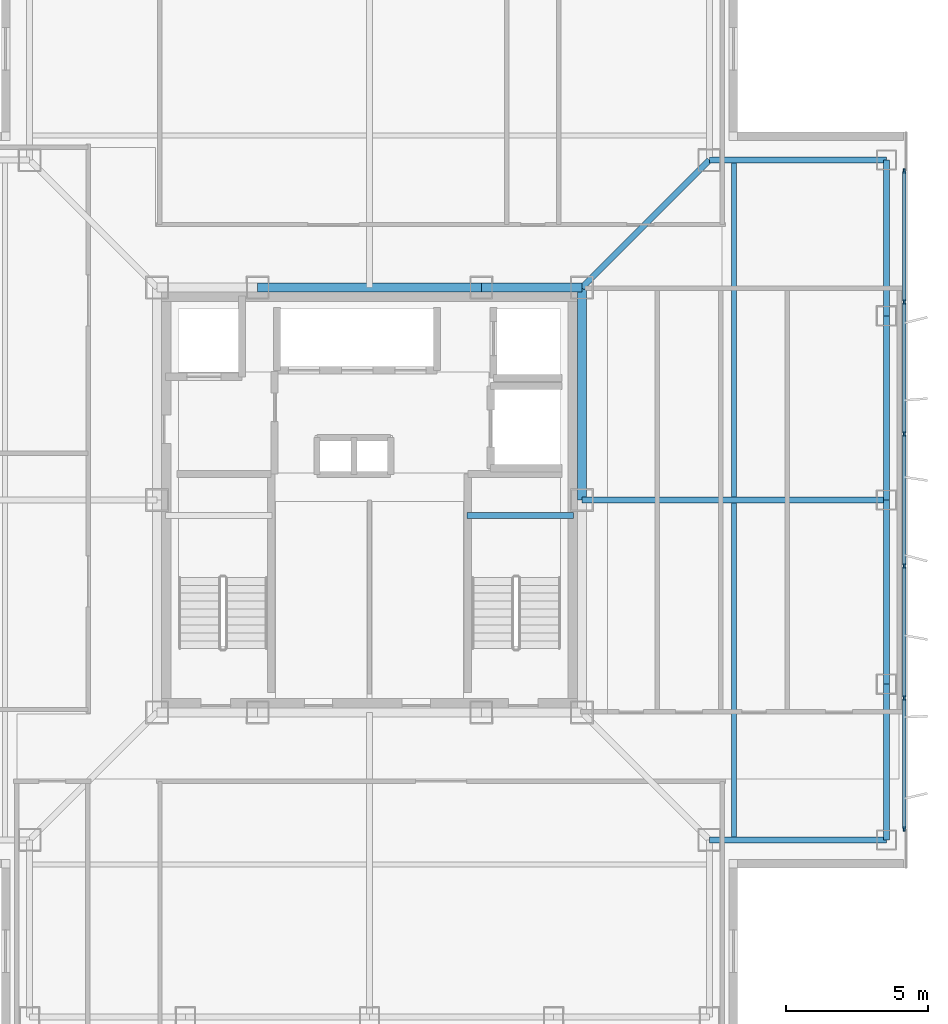
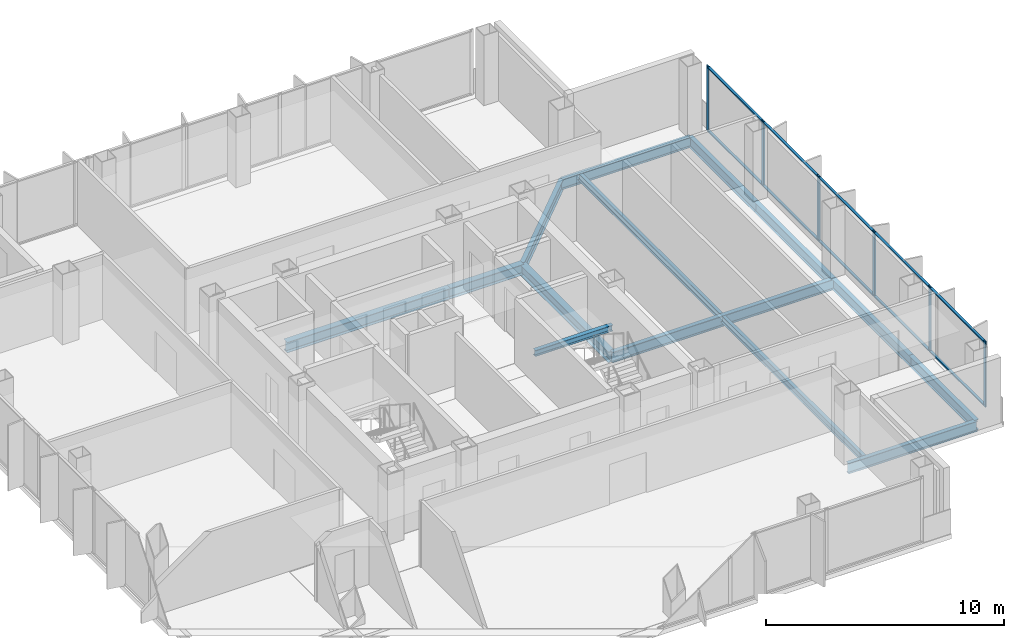
# One storey, part 5 of 15: 16 members, 13 beams, 1 element without a shape of its own.
"""IFC4 building model written with IfcOpenShell, lengths in metres."""

from ifc_helpers import new_model, si_unit, direction, frame, origin, origin_2d, place, context, subcontext, project, spatial, rectangle, i_section, extrude, material, layer, layer_set, material_profile, profile_set, type_object, element, aggregate, save


model = new_model("IFC4")

# Units and contexts
model_context = context("Model", 3, precision=1e-05, world=origin(), true_north=direction((0.0, 1.0)))
body_context = subcontext(model_context, "Body", "Model", "MODEL_VIEW")
ifc_project = project(units=[si_unit("LENGTHUNIT", "METRE"), si_unit("AREAUNIT", "SQUARE_METRE"), si_unit("VOLUMEUNIT", "CUBIC_METRE"), si_unit("PLANEANGLEUNIT", "RADIAN"), si_unit("MASSUNIT", "GRAM", prefix="KILO")], contexts=[model_context])

# Site, building, storey
site_placement = place(None, origin())
site = spatial("IfcSite", under=ifc_project, at=site_placement, CompositionType="ELEMENT")
building_placement = place(site_placement, origin())
building = spatial("IfcBuilding", under=site, at=building_placement, Name="Trevonay Congress Spire", CompositionType="ELEMENT")
storey_placement = place(building_placement, frame((0.0, 0.0, 261.199951171875)))
storey = spatial("IfcBuildingStorey", under=building, at=storey_placement, Name="L68", CompositionType="ELEMENT", Elevation=261.199951171875)

# Beams
ifc_material_1 = material(Name="Steel ASTM A572 Grade 50", Category="steel")
ifc_material_profile_1 = material_profile(ifc_material_1, i_section(OverallWidth=0.2119140625, OverallDepth=0.5439453125, WebThickness=0.01318359375, FlangeThickness=0.021240234375, FilletRadius=0.014892578125, at=origin_2d()), Name="W530x123")
ifc_profile_set_1 = profile_set([ifc_material_profile_1], Name="Steel ASTM A572 Grade 50")
beam_type_1 = type_object("IfcBeamType", Name="BM-GIRD-W530X123", PredefinedType="BEAM", material=ifc_profile_set_1)
beam_1_placement = place(storey_placement, frame((7.5, 7.5, -0.511962890625), z_axis=(0.707106781187, 0.707106781187, 0.0), x_axis=(-0.707106781187, 0.707106781187, 0.0)))
element("IfcBeam", 1, at=beam_1_placement, inside=storey, type_object=beam_type_1, Name="L68 structural beam BM-L68-CDNE", PredefinedType="BEAM", context=body_context, shape_type="SweptSolid", body=[
    extrude(i_section(OverallWidth=0.2119140625, OverallDepth=0.5439453125, WebThickness=0.01318359375, FlangeThickness=0.021240234375, FilletRadius=0.014892578125, at=origin_2d()), origin(), (0.0, 0.0, 1.0), 6.364013671875),
])
beam_2_placement = place(storey_placement, frame((7.5, 0.0, -0.511962890625), z_axis=(1.0, 0.0, 0.0), x_axis=(0.0, 1.0, 0.0)))
element("IfcBeam", 2, at=beam_2_placement, inside=storey, type_object=beam_type_1, Name="L68 structural beam BM-L68-GC-E", PredefinedType="BEAM", context=body_context, shape_type="SweptSolid", body=[
    extrude(i_section(OverallWidth=0.2119140625, OverallDepth=0.5439453125, WebThickness=0.01318359375, FlangeThickness=0.021240234375, FilletRadius=0.014892578125, at=origin_2d()), origin(), (0.0, 0.0, 1.0), 10.75),
])
ifc_material_profile_2 = material_profile(ifc_material_1, i_section(OverallWidth=0.31201171875, OverallDepth=0.54296875, WebThickness=0.0126953125, FlangeThickness=0.020263671875, FilletRadius=0.014892578125, at=origin_2d()), Name="W530x150")
ifc_profile_set_2 = profile_set([ifc_material_profile_2], Name="Steel ASTM A572 Grade 50")
beam_type_2 = type_object("IfcBeamType", Name="BM-GIRD-W530X150", PredefinedType="BEAM", material=ifc_profile_set_2)
beam_3_placement = place(storey_placement, frame((-3.949951171875, 7.5, -0.511474609375), z_axis=(1.0, 0.0, 0.0), x_axis=(0.0, 1.0, 0.0)))
element("IfcBeam", 3, at=beam_3_placement, inside=storey, type_object=beam_type_2, Name="L68 structural beam BM-L68-CR-N2", PredefinedType="BEAM", context=body_context, shape_type="SweptSolid", body=[
    extrude(i_section(OverallWidth=0.31201171875, OverallDepth=0.54296875, WebThickness=0.0126953125, FlangeThickness=0.020263671875, FilletRadius=0.014892578125, at=origin_2d()), origin(), (0.0, 0.0, 1.0), 7.89990234375),
])
beam_4_placement = place(storey_placement, frame((3.949951171875, 7.5, -0.511474609375), z_axis=(1.0, 0.0, 0.0), x_axis=(0.0, 1.0, 0.0)))
element("IfcBeam", 4, at=beam_4_placement, inside=storey, type_object=beam_type_2, Name="L68 structural beam BM-L68-CR-N3", PredefinedType="BEAM", context=body_context, shape_type="SweptSolid", body=[
    extrude(i_section(OverallWidth=0.31201171875, OverallDepth=0.54296875, WebThickness=0.0126953125, FlangeThickness=0.020263671875, FilletRadius=0.014892578125, at=origin_2d()), origin(), (0.0, 0.0, 1.0), 3.550048828125),
])
beam_5_placement = place(storey_placement, frame((7.5, 0.0, -0.511474609375), z_axis=(0.0, 1.0, 0.0), x_axis=(-1.0, 0.0, 0.0)))
element("IfcBeam", 5, at=beam_5_placement, inside=storey, type_object=beam_type_2, Name="L68 structural beam BM-L68-CR-E2", PredefinedType="BEAM", context=body_context, shape_type="SweptSolid", body=[
    extrude(i_section(OverallWidth=0.31201171875, OverallDepth=0.54296875, WebThickness=0.0126953125, FlangeThickness=0.020263671875, FilletRadius=0.014892578125, at=origin_2d()), origin(), (0.0, 0.0, 1.0), 7.5),
])
ifc_material_profile_3 = material_profile(ifc_material_1, i_section(OverallWidth=0.208984375, OverallDepth=0.532958984375, WebThickness=0.01025390625, FlangeThickness=0.015625, FilletRadius=0.014892578125, at=origin_2d()), Name="W530x92")
ifc_profile_set_3 = profile_set([ifc_material_profile_3], Name="Steel ASTM A572 Grade 50")
beam_type_3 = type_object("IfcBeamType", Name="BM-RING-W530X92", PredefinedType="BEAM", material=ifc_profile_set_3)
beam_6_placement = place(storey_placement, frame((18.25, -12.0, -0.50634765625), z_axis=(0.0, 1.0, 0.0), x_axis=(-1.0, 0.0, 0.0)))
element("IfcBeam", 6, at=beam_6_placement, inside=storey, type_object=beam_type_3, Name="L68 structural beam BM-L68-PE1", PredefinedType="BEAM", context=body_context, shape_type="SweptSolid", body=[
    extrude(i_section(OverallWidth=0.208984375, OverallDepth=0.532958984375, WebThickness=0.01025390625, FlangeThickness=0.015625, FilletRadius=0.014892578125, at=origin_2d()), origin(), (0.0, 0.0, 1.0), 5.5),
])
for number, where, z_axis, x_axis, name in (
    (7, (18.25, -6.5, -0.50634765625), (0.0, 1.0, 0.0), (-1.0, 0.0, 0.0), "L68 structural beam BM-L68-PE2"),
    (8, (18.25, 0.0, -0.50634765625), (0.0, 1.0, 0.0), (-1.0, 0.0, 0.0), "L68 structural beam BM-L68-PE3"),
):
    element("IfcBeam", number, at=place(storey_placement, frame(where, z_axis=z_axis, x_axis=x_axis)), inside=storey, type_object=beam_type_3, Name=name, PredefinedType="BEAM", context=body_context, shape_type="SweptSolid", body=[
        extrude(i_section(OverallWidth=0.208984375, OverallDepth=0.532958984375, WebThickness=0.01025390625, FlangeThickness=0.015625, FilletRadius=0.014892578125, at=origin_2d()), origin(), (0.0, 0.0, 1.0), 6.5),
    ])
beam_7_placement = place(storey_placement, frame((18.25, 6.5, -0.50634765625), z_axis=(0.0, 1.0, 0.0), x_axis=(-1.0, 0.0, 0.0)))
element("IfcBeam", 9, at=beam_7_placement, inside=storey, type_object=beam_type_3, Name="L68 structural beam BM-L68-PE4", PredefinedType="BEAM", context=body_context, shape_type="SweptSolid", body=[
    extrude(i_section(OverallWidth=0.208984375, OverallDepth=0.532958984375, WebThickness=0.01025390625, FlangeThickness=0.015625, FilletRadius=0.014892578125, at=origin_2d()), origin(), (0.0, 0.0, 1.0), 5.5),
])
for number, where, z_axis, x_axis, name in (
    (10, (18.25, -12.0, -0.50634765625), (-1.0, 0.0, 0.0), (0.0, -1.0, 0.0), "L68 structural beam BM-L68-N2SE"),
    (11, (18.25, 12.0, -0.50634765625), (-1.0, 0.0, 0.0), (0.0, -1.0, 0.0), "L68 structural beam BM-L68-N2NE"),
):
    element("IfcBeam", number, at=place(storey_placement, frame(where, z_axis=z_axis, x_axis=x_axis)), inside=storey, type_object=beam_type_3, Name=name, PredefinedType="BEAM", context=body_context, shape_type="SweptSolid", body=[
        extrude(i_section(OverallWidth=0.208984375, OverallDepth=0.532958984375, WebThickness=0.01025390625, FlangeThickness=0.015625, FilletRadius=0.014892578125, at=origin_2d()), origin(), (0.0, 0.0, 1.0), 6.25),
    ])

# Curtain wall, members
ifc_material_2 = material(Name="Pale Anodised Aluminium EN AW-6063-T6", Category="aluminium")
ifc_layer = layer(ifc_material_2, 0.1650390625, Name="Pale Anodised Aluminium EN AW-6063-T6")
ifc_layer_set = layer_set([ifc_layer], Name="Pale Anodised Aluminium EN AW-6063-T6")
curtain_wall_type = type_object("IfcCurtainWallType", Name="CW-SYS05-DIPLOM-PALE-METAL", PredefinedType="NOTDEFINED", material=ifc_layer_set)
curtain_wall_placement = place(storey_placement, origin())
curtain_wall = element("IfcCurtainWall", 12, at=curtain_wall_placement, inside=storey, type_object=curtain_wall_type, Name="L68 E unitised curtain wall", PredefinedType="NOTDEFINED")
ifc_material_profile_4 = material_profile(ifc_material_2, rectangle(XDim=0.06005859375, YDim=0.159912109375, at=origin_2d()), Name="CW-MULLION-160-ALUMINIUM")
ifc_profile_set_4 = profile_set([ifc_material_profile_4], Name="Pale Anodised Aluminium EN AW-6063-T6")
member_type_1 = type_object("IfcMemberType", Name="CW-MULLION-160-ALUMINIUM", PredefinedType="MULLION", material=ifc_profile_set_4)
member_1_placement = place(storey_placement, frame((18.8798828125, -11.6201171875, 0.0), z_axis=(0.0, 0.0, 1.0), x_axis=(-1.0, 0.0, 0.0)))
member_1 = element("IfcMember", 13, at=member_1_placement, type_object=member_type_1, Name="CW05 mullion 1", PredefinedType="MULLION", context=body_context, shape_type="SweptSolid", body=[
    extrude(rectangle(XDim=0.06005859375, YDim=0.159912109375, at=origin_2d()), origin(), (0.0, 0.0, 1.0), 3.360107421875),
])
member_2_placement = place(storey_placement, frame((18.8798828125, -6.989990234375, 0.0), z_axis=(0.0, 0.0, 1.0), x_axis=(-1.0, 0.0, 0.0)))
member_2 = element("IfcMember", 14, at=member_2_placement, type_object=member_type_1, Name="CW05 mullion 2", PredefinedType="MULLION", context=body_context, shape_type="SweptSolid", body=[
    extrude(rectangle(XDim=0.06005859375, YDim=0.159912109375, at=origin_2d()), origin(), (0.0, 0.0, 1.0), 3.360107421875),
])
member_3_placement = place(storey_placement, frame((18.8798828125, -2.330078125, 0.0), z_axis=(0.0, 0.0, 1.0), x_axis=(-1.0, 0.0, 0.0)))
member_3 = element("IfcMember", 15, at=member_3_placement, type_object=member_type_1, Name="CW05 mullion 3", PredefinedType="MULLION", context=body_context, shape_type="SweptSolid", body=[
    extrude(rectangle(XDim=0.06005859375, YDim=0.159912109375, at=origin_2d()), origin(), (0.0, 0.0, 1.0), 3.360107421875),
])
member_4_placement = place(storey_placement, frame((18.8798828125, 2.330078125, 0.0), z_axis=(0.0, 0.0, 1.0), x_axis=(-1.0, 0.0, 0.0)))
member_4 = element("IfcMember", 16, at=member_4_placement, type_object=member_type_1, Name="CW05 mullion 4", PredefinedType="MULLION", context=body_context, shape_type="SweptSolid", body=[
    extrude(rectangle(XDim=0.06005859375, YDim=0.159912109375, at=origin_2d()), origin(), (0.0, 0.0, 1.0), 3.360107421875),
])
member_5_placement = place(storey_placement, frame((18.8798828125, 6.989990234375, 0.0), z_axis=(0.0, 0.0, 1.0), x_axis=(-1.0, 0.0, 0.0)))
member_5 = element("IfcMember", 17, at=member_5_placement, type_object=member_type_1, Name="CW05 mullion 5", PredefinedType="MULLION", context=body_context, shape_type="SweptSolid", body=[
    extrude(rectangle(XDim=0.06005859375, YDim=0.159912109375, at=origin_2d()), origin(), (0.0, 0.0, 1.0), 3.360107421875),
])
member_6_placement = place(storey_placement, frame((18.8798828125, 11.6201171875, 0.0), z_axis=(0.0, 0.0, 1.0), x_axis=(-1.0, 0.0, 0.0)))
member_6 = element("IfcMember", 18, at=member_6_placement, type_object=member_type_1, Name="CW05 mullion 6", PredefinedType="MULLION", context=body_context, shape_type="SweptSolid", body=[
    extrude(rectangle(XDim=0.06005859375, YDim=0.159912109375, at=origin_2d()), origin(), (0.0, 0.0, 1.0), 3.360107421875),
])
ifc_material_profile_5 = material_profile(ifc_material_2, rectangle(XDim=0.1201171875, YDim=0.06005859375, at=origin_2d()), Name="CW-TRANSOM-120-ALUMINIUM")
ifc_profile_set_5 = profile_set([ifc_material_profile_5], Name="Pale Anodised Aluminium EN AW-6063-T6")
member_type_2 = type_object("IfcMemberType", Name="CW-TRANSOM-120-ALUMINIUM", PredefinedType="USERDEFINED", material=ifc_profile_set_5)
member_7_placement = place(storey_placement, frame((18.8798828125, -11.590087890625, 0.06005859375), z_axis=(0.0, 1.0, 0.0), x_axis=(-1.0, 0.0, 0.0)))
member_7 = element("IfcMember", 19, at=member_7_placement, type_object=member_type_2, Name="CW05 transom 1.1", ObjectType="TRANSOM", PredefinedType="USERDEFINED", context=body_context, shape_type="SweptSolid", body=[
    extrude(rectangle(XDim=0.1201171875, YDim=0.06005859375, at=origin_2d()), origin(), (0.0, 0.0, 1.0), 4.570068359375),
])
member_8_placement = place(storey_placement, frame((18.8798828125, -11.590087890625, 3.300048828125), z_axis=(0.0, 1.0, 0.0), x_axis=(-1.0, 0.0, 0.0)))
member_8 = element("IfcMember", 20, at=member_8_placement, type_object=member_type_2, Name="CW05 transom 1.2", ObjectType="TRANSOM", PredefinedType="USERDEFINED", context=body_context, shape_type="SweptSolid", body=[
    extrude(rectangle(XDim=0.1201171875, YDim=0.06005859375, at=origin_2d()), origin(), (0.0, 0.0, 1.0), 4.570068359375),
])
member_9_placement = place(storey_placement, frame((18.8798828125, -6.9599609375, 0.06005859375), z_axis=(0.0, 1.0, 0.0), x_axis=(-1.0, 0.0, 0.0)))
member_9 = element("IfcMember", 21, at=member_9_placement, type_object=member_type_2, Name="CW05 transom 2.1", ObjectType="TRANSOM", PredefinedType="USERDEFINED", context=body_context, shape_type="SweptSolid", body=[
    extrude(rectangle(XDim=0.1201171875, YDim=0.06005859375, at=origin_2d()), origin(), (0.0, 0.0, 1.0), 4.599853515625),
])
member_10_placement = place(storey_placement, frame((18.8798828125, -6.9599609375, 3.300048828125), z_axis=(0.0, 1.0, 0.0), x_axis=(-1.0, 0.0, 0.0)))
member_10 = element("IfcMember", 22, at=member_10_placement, type_object=member_type_2, Name="CW05 transom 2.2", ObjectType="TRANSOM", PredefinedType="USERDEFINED", context=body_context, shape_type="SweptSolid", body=[
    extrude(rectangle(XDim=0.1201171875, YDim=0.06005859375, at=origin_2d()), origin(), (0.0, 0.0, 1.0), 4.599853515625),
])
member_11_placement = place(storey_placement, frame((18.8798828125, -2.300048828125, 0.06005859375), z_axis=(0.0, 1.0, 0.0), x_axis=(-1.0, 0.0, 0.0)))
member_11 = element("IfcMember", 23, at=member_11_placement, type_object=member_type_2, Name="CW05 transom 3.1", ObjectType="TRANSOM", PredefinedType="USERDEFINED", context=body_context, shape_type="SweptSolid", body=[
    extrude(rectangle(XDim=0.1201171875, YDim=0.06005859375, at=origin_2d()), origin(), (0.0, 0.0, 1.0), 4.60009765625),
])
member_12_placement = place(storey_placement, frame((18.8798828125, -2.300048828125, 3.300048828125), z_axis=(0.0, 1.0, 0.0), x_axis=(-1.0, 0.0, 0.0)))
member_12 = element("IfcMember", 24, at=member_12_placement, type_object=member_type_2, Name="CW05 transom 3.2", ObjectType="TRANSOM", PredefinedType="USERDEFINED", context=body_context, shape_type="SweptSolid", body=[
    extrude(rectangle(XDim=0.1201171875, YDim=0.06005859375, at=origin_2d()), origin(), (0.0, 0.0, 1.0), 4.60009765625),
])
member_13_placement = place(storey_placement, frame((18.8798828125, 2.360107421875, 0.06005859375), z_axis=(0.0, 1.0, 0.0), x_axis=(-1.0, 0.0, 0.0)))
member_13 = element("IfcMember", 25, at=member_13_placement, type_object=member_type_2, Name="CW05 transom 4.1", ObjectType="TRANSOM", PredefinedType="USERDEFINED", context=body_context, shape_type="SweptSolid", body=[
    extrude(rectangle(XDim=0.1201171875, YDim=0.06005859375, at=origin_2d()), origin(), (0.0, 0.0, 1.0), 4.599853515625),
])
member_14_placement = place(storey_placement, frame((18.8798828125, 2.360107421875, 3.300048828125), z_axis=(0.0, 1.0, 0.0), x_axis=(-1.0, 0.0, 0.0)))
member_14 = element("IfcMember", 26, at=member_14_placement, type_object=member_type_2, Name="CW05 transom 4.2", ObjectType="TRANSOM", PredefinedType="USERDEFINED", context=body_context, shape_type="SweptSolid", body=[
    extrude(rectangle(XDim=0.1201171875, YDim=0.06005859375, at=origin_2d()), origin(), (0.0, 0.0, 1.0), 4.599853515625),
])
member_15_placement = place(storey_placement, frame((18.8798828125, 7.02001953125, 0.06005859375), z_axis=(0.0, 1.0, 0.0), x_axis=(-1.0, 0.0, 0.0)))
member_15 = element("IfcMember", 27, at=member_15_placement, type_object=member_type_2, Name="CW05 transom 5.1", ObjectType="TRANSOM", PredefinedType="USERDEFINED", context=body_context, shape_type="SweptSolid", body=[
    extrude(rectangle(XDim=0.1201171875, YDim=0.06005859375, at=origin_2d()), origin(), (0.0, 0.0, 1.0), 4.570068359375),
])
member_16_placement = place(storey_placement, frame((18.8798828125, 7.02001953125, 3.300048828125), z_axis=(0.0, 1.0, 0.0), x_axis=(-1.0, 0.0, 0.0)))
member_16 = element("IfcMember", 28, at=member_16_placement, type_object=member_type_2, Name="CW05 transom 5.2", ObjectType="TRANSOM", PredefinedType="USERDEFINED", context=body_context, shape_type="SweptSolid", body=[
    extrude(rectangle(XDim=0.1201171875, YDim=0.06005859375, at=origin_2d()), origin(), (0.0, 0.0, 1.0), 4.570068359375),
])
aggregate(curtain_wall, [member_1, member_2, member_3, member_4, member_5, member_6, member_7, member_8, member_9, member_10, member_11, member_12, member_13, member_14, member_15, member_16])

# Beams
ifc_material_profile_6 = material_profile(ifc_material_1, i_section(OverallWidth=0.172119140625, OverallDepth=0.35791015625, WebThickness=0.0078125, FlangeThickness=0.01318359375, FilletRadius=0.011962890625, at=origin_2d()), Name="W360x57.8")
ifc_profile_set_6 = profile_set([ifc_material_profile_6], Name="Steel ASTM A572 Grade 50")
beam_type_4 = type_object("IfcBeamType", Name="JS-COMP-W360X57", PredefinedType="JOIST", material=ifc_profile_set_6)
beam_8_placement = place(storey_placement, frame((12.875, -12.0, -0.4189453125), z_axis=(0.0, 1.0, 0.0), x_axis=(-1.0, 0.0, 0.0)))
element("IfcBeam", 29, at=beam_8_placement, inside=storey, type_object=beam_type_4, Name="L68 structural beam JS-L68-RING-E", PredefinedType="JOIST", context=body_context, shape_type="SweptSolid", body=[
    extrude(i_section(OverallWidth=0.172119140625, OverallDepth=0.35791015625, WebThickness=0.0078125, FlangeThickness=0.01318359375, FilletRadius=0.011962890625, at=origin_2d()), origin(), (0.0, 0.0, 1.0), 24.0),
])
ifc_material_profile_7 = material_profile(ifc_material_1, i_section(OverallWidth=0.2041015625, OverallDepth=0.305908203125, WebThickness=0.008544921875, FlangeThickness=0.0146484375, FilletRadius=0.010986328125, at=origin_2d()), Name="W310x67")
ifc_profile_set_7 = profile_set([ifc_material_profile_7], Name="Steel ASTM A572 Grade 50")
beam_type_5 = type_object("IfcBeamType", Name="LN-CORE-W310X67", PredefinedType="LINTEL", material=ifc_profile_set_7)
beam_9_placement = place(storey_placement, frame((3.449951171875, -0.550048828125, 1.447021484375), z_axis=(1.0, 0.0, 0.0), x_axis=(0.0, 1.0, 0.0)))
element("IfcBeam", 30, at=beam_9_placement, inside=storey, type_object=beam_type_5, Name="L68 structural beam BM-L68-HL-ST2", PredefinedType="LINTEL", context=body_context, shape_type="SweptSolid", body=[
    extrude(i_section(OverallWidth=0.2041015625, OverallDepth=0.305908203125, WebThickness=0.008544921875, FlangeThickness=0.0146484375, FilletRadius=0.010986328125, at=origin_2d()), origin(), (0.0, 0.0, 1.0), 3.75),
])

save(model, "model.ifc")
